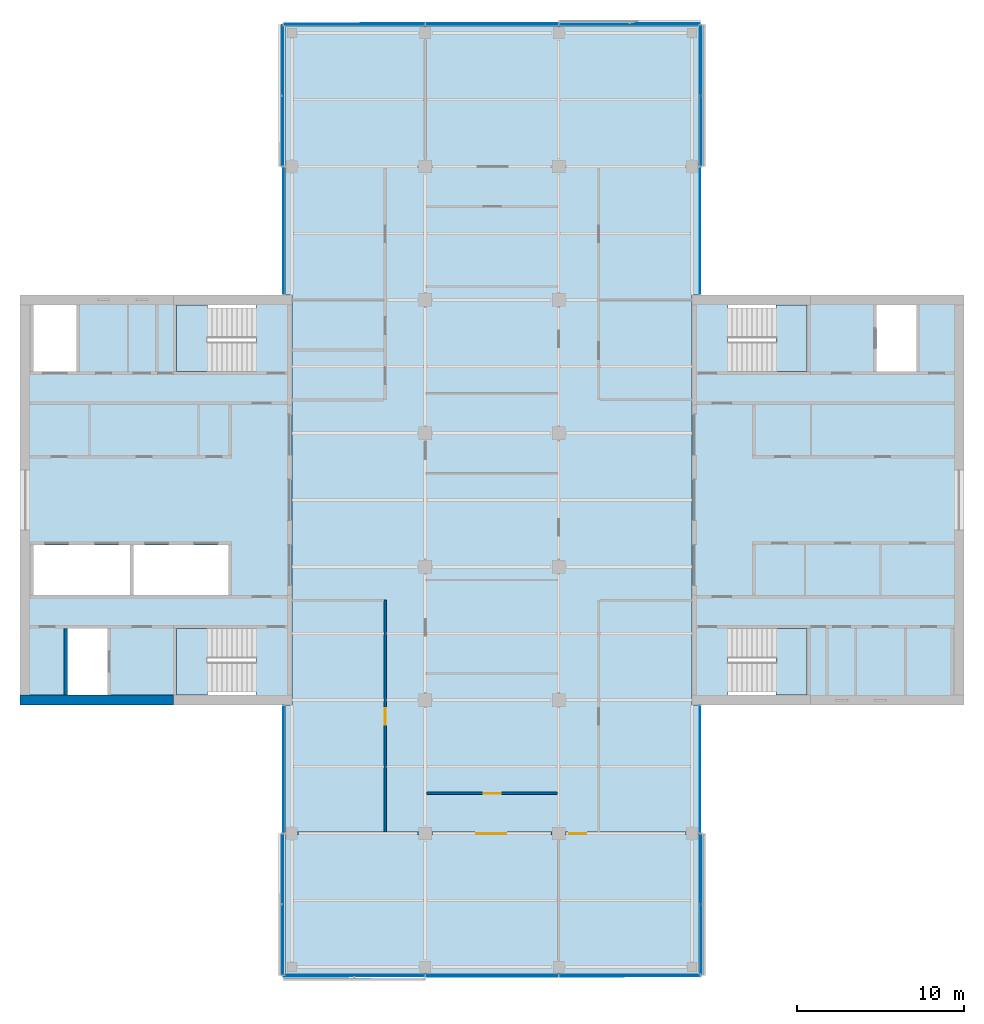
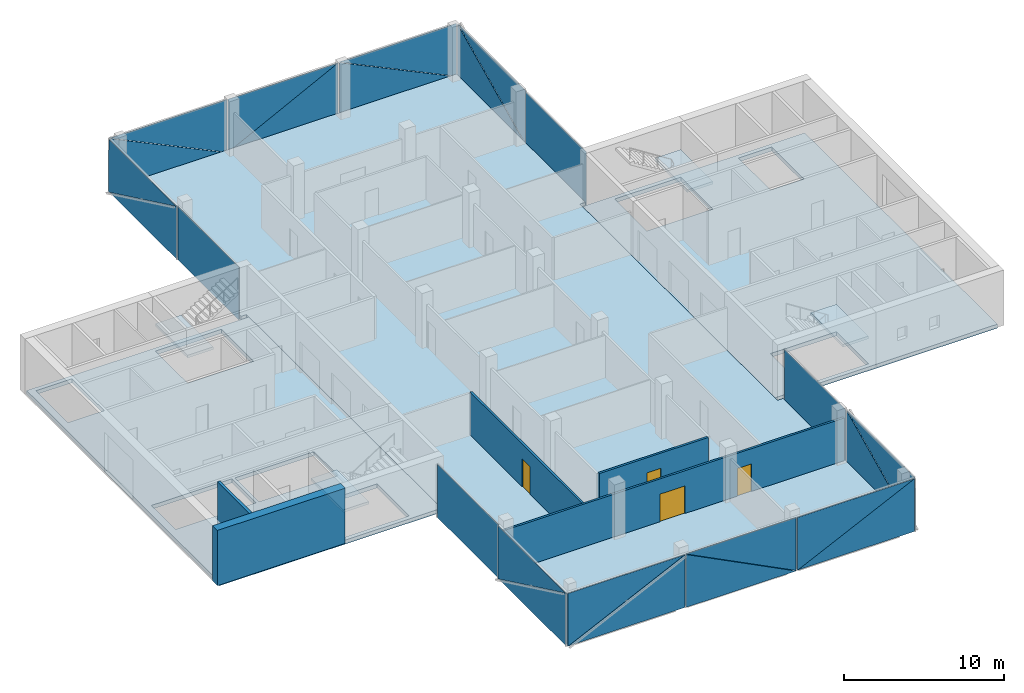
# One storey, part 8 of 15: 24 plates, 7 slabs, 5 walls, 4 doors, 4 openings, 14 elements without a shape of their own.
"""IFC4 building model written with IfcOpenShell, lengths in metres."""

from ifc_helpers import new_model, si_unit, direction, frame, frame_2d, origin, place, context, subcontext, project, spatial, polyline, rectangle, outline, extrude, material, layer, layer_set, constituent, constituent_set, type_object, element, fill, aggregate, save


model = new_model("IFC4")

# Units and contexts
model_context = context("Model", 3, precision=1e-05, world=origin(), true_north=direction((0.0, 1.0)))
body_context = subcontext(model_context, "Body", "Model", "MODEL_VIEW")
ifc_project = project(units=[si_unit("LENGTHUNIT", "METRE"), si_unit("AREAUNIT", "SQUARE_METRE"), si_unit("VOLUMEUNIT", "CUBIC_METRE"), si_unit("PLANEANGLEUNIT", "RADIAN"), si_unit("MASSUNIT", "GRAM", prefix="KILO")], contexts=[model_context])

# Site, building, storey
site_placement = place(None, origin())
site = spatial("IfcSite", under=ifc_project, at=site_placement, CompositionType="ELEMENT")
building_placement = place(site_placement, origin())
building = spatial("IfcBuilding", under=site, at=building_placement, Name="Crosswind Convention Tower", CompositionType="ELEMENT")
storey_placement = place(building_placement, frame((0.0, 0.0, 233.5)))
storey = spatial("IfcBuildingStorey", under=building, at=storey_placement, Name="L50", CompositionType="ELEMENT", Elevation=233.5)

# Slabs
ifc_material_1 = material(Name="Concrete C40/50", Category="concrete")
ifc_layer_1 = layer(ifc_material_1, 0.300048828125)
ifc_layer_set_1 = layer_set([ifc_layer_1], Name="Concrete C40/50")
slab_type_1 = type_object("IfcSlabType", Name="Composite floor slab 300", PredefinedType="FLOOR", material=ifc_layer_set_1)
slab_1_placement = place(storey_placement, frame((0.0, 0.0, -0.300048828125)))
element("IfcSlab", 1, at=slab_1_placement, inside=storey, type_object=slab_type_1, Name="Floor slab L50", PredefinedType="FLOOR", context=body_context, shape_type="SweptSolid", body=[
    extrude(outline(polyline([(137.39990234375, 71.60009765625), (137.0, 71.60009765625), (113.0, 71.60009765625), (112.60009765625, 71.60009765625), (112.60009765625, 72.0), (112.60009765625, 87.699951171875), (113.0, 87.699951171875), (113.0, 112.300048828125), (112.60009765625, 112.300048828125), (112.60009765625, 128.0), (112.60009765625, 128.39990234375), (113.0, 128.39990234375), (137.0, 128.39990234375), (137.39990234375, 128.39990234375), (137.39990234375, 128.0), (137.39990234375, 112.300048828125), (137.0, 112.300048828125), (137.0, 87.699951171875), (137.39990234375, 87.699951171875), (137.39990234375, 72.0), (137.39990234375, 71.60009765625)])), origin(), (0.0, 0.0, 1.0), 0.300048828125),
])
ifc_layer_2 = layer(ifc_material_1, 0.300048828125)
ifc_layer_set_2 = layer_set([ifc_layer_2], Name="Concrete C40/50")
slab_type_2 = type_object("IfcSlabType", Name="Concrete core floor slab 300", PredefinedType="FLOOR", material=ifc_layer_set_2)
slab_2_placement = place(storey_placement, frame((0.0, 0.0, -0.300048828125)))
element("IfcSlab", 2, at=slab_2_placement, inside=storey, type_object=slab_type_2, Name="Core floor slab E L50", PredefinedType="FLOOR", context=body_context, shape_type="SweptSolid", body=[
    extrude(outline(polyline([(137.0, 88.0), (153.0, 88.0), (153.0, 112.0), (137.0, 112.0), (137.0, 88.0)]), holes=[polyline([(150.449951171875, 107.699951171875), (150.449951171875, 111.699951171875), (148.050048828125, 111.699951171875), (148.050048828125, 107.699951171875), (150.449951171875, 107.699951171875)]), polyline([(143.89990234375, 107.699951171875), (143.89990234375, 111.699951171875), (139.14990234375, 111.699951171875), (139.14990234375, 107.699951171875), (143.89990234375, 107.699951171875)]), polyline([(143.89990234375, 88.300048828125), (143.89990234375, 92.300048828125), (139.14990234375, 92.300048828125), (139.14990234375, 88.300048828125), (143.89990234375, 88.300048828125)])]), origin(), (0.0, 0.0, 1.0), 0.300048828125),
])
slab_3_placement = place(storey_placement, frame((0.0, 0.0, -0.300048828125)))
element("IfcSlab", 3, at=slab_3_placement, inside=storey, type_object=slab_type_2, Name="Core floor slab W L50", PredefinedType="FLOOR", context=body_context, shape_type="SweptSolid", body=[
    extrude(outline(polyline([(97.0, 88.0), (113.0, 88.0), (113.0, 112.0), (97.0, 112.0), (97.0, 88.0)]), holes=[polyline([(109.199951171875, 94.300048828125), (109.199951171875, 97.300048828125), (103.5, 97.300048828125), (103.5, 94.300048828125), (109.199951171875, 94.300048828125)]), polyline([(103.300048828125, 94.300048828125), (103.300048828125, 97.300048828125), (97.5, 97.300048828125), (97.5, 94.300048828125), (103.300048828125, 94.300048828125)]), polyline([(101.949951171875, 88.300048828125), (101.949951171875, 92.300048828125), (99.550048828125, 92.300048828125), (99.550048828125, 88.300048828125), (101.949951171875, 88.300048828125)]), polyline([(100.10009765625, 107.699951171875), (100.10009765625, 111.699951171875), (97.5, 111.699951171875), (97.5, 107.699951171875), (100.10009765625, 107.699951171875)]), polyline([(110.85009765625, 88.300048828125), (110.85009765625, 92.300048828125), (106.10009765625, 92.300048828125), (106.10009765625, 88.300048828125), (110.85009765625, 88.300048828125)]), polyline([(110.85009765625, 107.699951171875), (110.85009765625, 111.699951171875), (106.10009765625, 111.699951171875), (106.10009765625, 107.699951171875), (110.85009765625, 107.699951171875)])]), origin(), (0.0, 0.0, 1.0), 0.300048828125),
])

# Stair, slab
stair_type = type_object("IfcStairType", Name="Exit stair 1800 wide, 2 flights of 11 risers", PredefinedType="HALF_TURN_STAIR", material=ifc_material_1)
stair_1_placement = place(storey_placement, origin())
stair_1 = element("IfcStair", 4, at=stair_1_placement, inside=storey, type_object=stair_type, Name="Exit stair ST1 L50", ObjectType="ST5", PredefinedType="HALF_TURN_STAIR")
ifc_layer_3 = layer(ifc_material_1, 0.199951171875)
ifc_layer_set_3 = layer_set([ifc_layer_3], Name="Concrete C40/50")
slab_type_3 = type_object("IfcSlabType", Name="Stair landing 200", PredefinedType="LANDING", material=ifc_layer_set_3)
slab_4_placement = place(storey_placement, frame((0.0, 0.0, 1.89990234375)))
slab_4 = element("IfcSlab", 5, at=slab_4_placement, type_object=slab_type_3, Name="ST1 landing 1", PredefinedType="LANDING", context=body_context, shape_type="SweptSolid", body=[
    extrude(outline(polyline([(143.89990234375, 107.699951171875), (143.89990234375, 111.699951171875), (142.050048828125, 111.699951171875), (142.050048828125, 107.699951171875), (143.89990234375, 107.699951171875)])), origin(), (0.0, 0.0, 1.0), 0.2001953125),
])
aggregate(stair_1, [slab_4])

stair_2_placement = place(storey_placement, origin())
stair_2 = element("IfcStair", 6, at=stair_2_placement, inside=storey, type_object=stair_type, Name="Exit stair ST2 L50", ObjectType="ST5", PredefinedType="HALF_TURN_STAIR")
slab_5_placement = place(storey_placement, frame((0.0, 0.0, 1.89990234375)))
slab_5 = element("IfcSlab", 7, at=slab_5_placement, type_object=slab_type_3, Name="ST2 landing 1", PredefinedType="LANDING", context=body_context, shape_type="SweptSolid", body=[
    extrude(outline(polyline([(143.89990234375, 88.300048828125), (143.89990234375, 92.300048828125), (142.050048828125, 92.300048828125), (142.050048828125, 88.300048828125), (143.89990234375, 88.300048828125)])), origin(), (0.0, 0.0, 1.0), 0.2001953125),
])
aggregate(stair_2, [slab_5])

stair_3_placement = place(storey_placement, origin())
stair_3 = element("IfcStair", 8, at=stair_3_placement, inside=storey, type_object=stair_type, Name="Exit stair ST3 L50", ObjectType="ST5", PredefinedType="HALF_TURN_STAIR")
slab_6_placement = place(storey_placement, frame((0.0, 0.0, 1.89990234375)))
slab_6 = element("IfcSlab", 9, at=slab_6_placement, type_object=slab_type_3, Name="ST3 landing 1", PredefinedType="LANDING", context=body_context, shape_type="SweptSolid", body=[
    extrude(outline(polyline([(107.949951171875, 88.300048828125), (107.949951171875, 92.300048828125), (106.10009765625, 92.300048828125), (106.10009765625, 88.300048828125), (107.949951171875, 88.300048828125)])), origin(), (0.0, 0.0, 1.0), 0.2001953125),
])
aggregate(stair_3, [slab_6])

stair_4_placement = place(storey_placement, origin())
stair_4 = element("IfcStair", 10, at=stair_4_placement, inside=storey, type_object=stair_type, Name="Exit stair ST4 L50", ObjectType="ST5", PredefinedType="HALF_TURN_STAIR")
slab_7_placement = place(storey_placement, frame((0.0, 0.0, 1.89990234375)))
slab_7 = element("IfcSlab", 11, at=slab_7_placement, type_object=slab_type_3, Name="ST4 landing 1", PredefinedType="LANDING", context=body_context, shape_type="SweptSolid", body=[
    extrude(outline(polyline([(107.949951171875, 107.699951171875), (107.949951171875, 111.699951171875), (106.10009765625, 111.699951171875), (106.10009765625, 107.699951171875), (107.949951171875, 107.699951171875)])), origin(), (0.0, 0.0, 1.0), 0.2001953125),
])
aggregate(stair_4, [slab_7])

# Curtain wall, plate
ifc_material_2 = material(Name="Aluminium unitised curtain wall", Category="aluminium")
curtain_wall_type_1 = type_object("IfcCurtainWallType", Name="CORE END SLOT WALL 160", PredefinedType="USERDEFINED", material=ifc_material_2)
curtain_wall_1_placement = place(storey_placement, origin())
curtain_wall_1 = element("IfcCurtainWall", 12, at=curtain_wall_1_placement, inside=storey, type_object=curtain_wall_type_1, Name="CW6 L50 N-E.1-1 slot", ObjectType="UNITISED", PredefinedType="USERDEFINED")
ifc_material_3 = material(Name="Laminated insulating glass unit", Category="glass")
ifc_layer_4 = layer(ifc_material_3, 0.02587890625)
ifc_layer_set_4 = layer_set([ifc_layer_4], Name="TRIANGULAR GLASS PANEL 26")
plate_type_1 = type_object("IfcPlateType", Name="TRIANGULAR GLASS PANEL 26", PredefinedType="CURTAIN_PANEL", material=ifc_layer_set_4)
plate_1_placement = place(storey_placement, frame((137.5068359375, 112.35009765625, -0.300048828125), z_axis=(0.999999910972, 0.0, 0.000421966326), x_axis=(0.0, 1.0, 0.0)))
plate_1 = element("IfcPlate", 13, at=plate_1_placement, type_object=plate_type_1, Name="CW6 panel 1.1", PredefinedType="CURTAIN_PANEL", context=body_context, shape_type="SweptSolid", body=[
    extrude(outline(polyline([(0.0, 0.0), (7.599853515625, 0.0), (7.599853515625, 4.050049188691945), (0.0, 4.050049188691945), (0.0, 0.0)])), origin(), (0.0, 0.0, -1.0), 0.02587890625),
])
aggregate(curtain_wall_1, [plate_1])

curtain_wall_2_placement = place(storey_placement, origin())
curtain_wall_2 = element("IfcCurtainWall", 14, at=curtain_wall_2_placement, inside=storey, type_object=curtain_wall_type_1, Name="CW6 L50 N-W.1-2 slot", ObjectType="UNITISED", PredefinedType="USERDEFINED")
plate_2_placement = place(storey_placement, frame((112.4931640625, 119.949951171875, -0.300048828125), z_axis=(-0.999999910972, 0.0, 0.000421966326), x_axis=(0.0, -1.0, 0.0)))
plate_2 = element("IfcPlate", 15, at=plate_2_placement, type_object=plate_type_1, Name="CW6 panel 1.1", PredefinedType="CURTAIN_PANEL", context=body_context, shape_type="SweptSolid", body=[
    extrude(outline(polyline([(0.0, 0.0), (7.599853515625, 0.0), (7.599853515625, 4.050049188691945), (0.0, 4.050049188691945), (0.0, 0.0)])), origin(), (0.0, 0.0, -1.0), 0.02587890625),
])
aggregate(curtain_wall_2, [plate_2])

curtain_wall_3_placement = place(storey_placement, origin())
curtain_wall_3 = element("IfcCurtainWall", 16, at=curtain_wall_3_placement, inside=storey, type_object=curtain_wall_type_1, Name="CW6 L50 S-W.1-1 slot", ObjectType="UNITISED", PredefinedType="USERDEFINED")
plate_3_placement = place(storey_placement, frame((112.4931640625, 87.64990234375, -0.300048828125), z_axis=(-0.999999910972, 0.0, 0.000421966326), x_axis=(0.0, -1.0, 0.0)))
plate_3 = element("IfcPlate", 17, at=plate_3_placement, type_object=plate_type_1, Name="CW6 panel 1.1", PredefinedType="CURTAIN_PANEL", context=body_context, shape_type="SweptSolid", body=[
    extrude(outline(polyline([(0.0, 0.0), (7.599853515625, 0.0), (7.599853515625, 4.050049188691945), (0.0, 4.050049188691945), (0.0, 0.0)])), origin(), (0.0, 0.0, -1.0), 0.02587890625),
])
aggregate(curtain_wall_3, [plate_3])

curtain_wall_4_placement = place(storey_placement, origin())
curtain_wall_4 = element("IfcCurtainWall", 18, at=curtain_wall_4_placement, inside=storey, type_object=curtain_wall_type_1, Name="CW6 L50 S-E.1-2 slot", ObjectType="UNITISED", PredefinedType="USERDEFINED")
plate_4_placement = place(storey_placement, frame((137.5068359375, 80.050048828125, -0.300048828125), z_axis=(0.999999910972, 0.0, 0.000421966326), x_axis=(0.0, 1.0, 0.0)))
plate_4 = element("IfcPlate", 19, at=plate_4_placement, type_object=plate_type_1, Name="CW6 panel 1.1", PredefinedType="CURTAIN_PANEL", context=body_context, shape_type="SweptSolid", body=[
    extrude(outline(polyline([(0.0, 0.0), (7.599853515625, 0.0), (7.599853515625, 4.050049188691945), (0.0, 4.050049188691945), (0.0, 0.0)])), origin(), (0.0, 0.0, -1.0), 0.02587890625),
])
aggregate(curtain_wall_4, [plate_4])

# Curtain wall, plates
curtain_wall_type_2 = type_object("IfcCurtainWallType", Name="OFFICE UNITISED WALL 220", PredefinedType="USERDEFINED", material=ifc_material_2)
curtain_wall_5_placement = place(storey_placement, origin())
curtain_wall_5 = element("IfcCurtainWall", 20, at=curtain_wall_5_placement, inside=storey, type_object=curtain_wall_type_2, Name="CW3 L50 N-E 1", ObjectType="UNITISED", PredefinedType="USERDEFINED")
ifc_layer_5 = layer(ifc_material_3, 0.031982421875)
ifc_layer_set_5 = layer_set([ifc_layer_5], Name="TRIANGULAR GLASS PANEL 32")
plate_type_2 = type_object("IfcPlateType", Name="TRIANGULAR GLASS PANEL 32", PredefinedType="CURTAIN_PANEL", material=ifc_layer_set_5)
plate_5_placement = place(storey_placement, frame((137.542724609375, 128.47509765625, -0.300048828125), z_axis=(0.999999933579, 0.0, 0.000364475738), x_axis=(-0.000364475738, 0.0, 0.999999933579)))
plate_5 = element("IfcPlate", 21, at=plate_5_placement, type_object=plate_type_2, Name="CW3 panel 1.1", PredefinedType="CURTAIN_PANEL", context=body_context, shape_type="SweptSolid", body=[
    extrude(outline(polyline([(0.0, 0.0), (4.019043235700012, 0.0), (0.0, 8.4169921875), (0.0, 0.0)])), origin(), (0.0, 0.0, -1.0), 0.031982421875),
])
plate_6_placement = place(storey_placement, frame((137.5751953125, 120.034912109375, 3.72998046875), z_axis=(0.999999909582, 0.0, 0.000425247516), x_axis=(0.000425247516, 0.0, -0.999999909582)))
plate_6 = element("IfcPlate", 22, at=plate_6_placement, type_object=plate_type_2, Name="CW3 panel 1.2", PredefinedType="CURTAIN_PANEL", context=body_context, shape_type="SweptSolid", body=[
    extrude(outline(polyline([(0.0, 0.0), (4.018799191495697, 0.0), (0.0, 8.4169921875), (0.0, 0.0)])), origin(), (0.0, 0.0, -1.0), 0.031982421875),
])
aggregate(curtain_wall_5, [plate_5, plate_6])

curtain_wall_6_placement = place(storey_placement, origin())
curtain_wall_6 = element("IfcCurtainWall", 23, at=curtain_wall_6_placement, inside=storey, type_object=curtain_wall_type_2, Name="CW3 L50 N-TIP 1", ObjectType="UNITISED", PredefinedType="USERDEFINED")
plate_7_placement = place(storey_placement, frame((129.034912109375, 128.542724609375, -0.300048828125), z_axis=(0.0, 0.999999933579, 0.000364475738), x_axis=(0.0, -0.000364475738, 0.999999933579)))
plate_7 = element("IfcPlate", 24, at=plate_7_placement, type_object=plate_type_2, Name="CW3 panel 1.1", PredefinedType="CURTAIN_PANEL", context=body_context, shape_type="SweptSolid", body=[
    extrude(outline(polyline([(0.0, 0.0), (4.019043235700012, 0.0), (0.0, 8.4169921875), (0.0, 0.0)])), origin(), (0.0, 0.0, -1.0), 0.031982421875),
])
plate_8_placement = place(storey_placement, frame((137.47509765625, 128.5751953125, 3.72998046875), z_axis=(0.0, 0.999999909582, 0.000425247516), x_axis=(0.0, 0.000425247516, -0.999999909582)))
plate_8 = element("IfcPlate", 25, at=plate_8_placement, type_object=plate_type_2, Name="CW3 panel 1.2", PredefinedType="CURTAIN_PANEL", context=body_context, shape_type="SweptSolid", body=[
    extrude(outline(polyline([(0.0, 0.0), (4.018799191495697, 0.0), (0.0, 8.4169921875), (0.0, 0.0)])), origin(), (0.0, 0.0, -1.0), 0.031982421875),
])
plate_9_placement = place(storey_placement, frame((121.034912109375, 128.541259765625, 3.72998046875), z_axis=(0.0, 0.999999933571, 0.00036449788), x_axis=(1.0, 0.0, 0.0)))
plate_9 = element("IfcPlate", 26, at=plate_9_placement, type_object=plate_type_2, Name="CW3 panel 2.1", PredefinedType="CURTAIN_PANEL", context=body_context, shape_type="SweptSolid", body=[
    extrude(outline(polyline([(0.0, 0.0), (7.907958984375, 0.0), (0.0, 4.01879909509123), (0.0, 0.0)])), origin(), (0.0, 0.0, -1.0), 0.031982421875),
])
plate_10_placement = place(storey_placement, frame((128.965087890625, 128.576904296875, -0.300048828125), z_axis=(0.0, 0.999999909582, 0.000425247516), x_axis=(-1.0, 0.0, 0.0)))
plate_10 = element("IfcPlate", 27, at=plate_10_placement, type_object=plate_type_2, Name="CW3 panel 2.2", PredefinedType="CURTAIN_PANEL", context=body_context, shape_type="SweptSolid", body=[
    extrude(outline(polyline([(0.0, 0.0), (7.907958984375, 0.0), (0.0, 4.018799191495697), (0.0, 0.0)])), origin(), (0.0, 0.0, -1.0), 0.031982421875),
])
plate_11_placement = place(storey_placement, frame((112.52490234375, 128.542724609375, -0.300048828125), z_axis=(0.0, 0.999999933579, 0.000364475738), x_axis=(0.0, -0.000364475738, 0.999999933579)))
plate_11 = element("IfcPlate", 28, at=plate_11_placement, type_object=plate_type_2, Name="CW3 panel 3.1", PredefinedType="CURTAIN_PANEL", context=body_context, shape_type="SweptSolid", body=[
    extrude(outline(polyline([(0.0, 0.0), (4.019043235700012, 0.0), (0.0, 8.4169921875), (0.0, 0.0)])), origin(), (0.0, 0.0, -1.0), 0.031982421875),
])
plate_12_placement = place(storey_placement, frame((120.965087890625, 128.5751953125, 3.72998046875), z_axis=(0.0, 0.999999909582, 0.000425247516), x_axis=(0.0, 0.000425247516, -0.999999909582)))
plate_12 = element("IfcPlate", 29, at=plate_12_placement, type_object=plate_type_2, Name="CW3 panel 3.2", PredefinedType="CURTAIN_PANEL", context=body_context, shape_type="SweptSolid", body=[
    extrude(outline(polyline([(0.0, 0.0), (4.018799191495697, 0.0), (0.0, 8.4169921875), (0.0, 0.0)])), origin(), (0.0, 0.0, -1.0), 0.031982421875),
])
aggregate(curtain_wall_6, [plate_7, plate_8, plate_9, plate_10, plate_11, plate_12])

curtain_wall_7_placement = place(storey_placement, origin())
curtain_wall_7 = element("IfcCurtainWall", 30, at=curtain_wall_7_placement, inside=storey, type_object=curtain_wall_type_2, Name="CW3 L50 N-W 1", ObjectType="UNITISED", PredefinedType="USERDEFINED")
plate_13_placement = place(storey_placement, frame((112.457275390625, 120.034912109375, -0.300048828125), z_axis=(-0.999999933579, 0.0, 0.000364475738), x_axis=(0.000364475738, 0.0, 0.999999933579)))
plate_13 = element("IfcPlate", 31, at=plate_13_placement, type_object=plate_type_2, Name="CW3 panel 1.1", PredefinedType="CURTAIN_PANEL", context=body_context, shape_type="SweptSolid", body=[
    extrude(outline(polyline([(0.0, 0.0), (4.019043235700012, 0.0), (0.0, 8.4169921875), (0.0, 0.0)])), origin(), (0.0, 0.0, -1.0), 0.031982421875),
])
plate_14_placement = place(storey_placement, frame((112.4248046875, 128.47509765625, 3.72998046875), z_axis=(-0.999999909582, 0.0, 0.000425247516), x_axis=(-0.000425247516, 0.0, -0.999999909582)))
plate_14 = element("IfcPlate", 32, at=plate_14_placement, type_object=plate_type_2, Name="CW3 panel 1.2", PredefinedType="CURTAIN_PANEL", context=body_context, shape_type="SweptSolid", body=[
    extrude(outline(polyline([(0.0, 0.0), (4.018799191495697, 0.0), (0.0, 8.4169921875), (0.0, 0.0)])), origin(), (0.0, 0.0, -1.0), 0.031982421875),
])
aggregate(curtain_wall_7, [plate_13, plate_14])

curtain_wall_8_placement = place(storey_placement, origin())
curtain_wall_8 = element("IfcCurtainWall", 33, at=curtain_wall_8_placement, inside=storey, type_object=curtain_wall_type_2, Name="CW3 L50 S-W 1", ObjectType="UNITISED", PredefinedType="USERDEFINED")
plate_15_placement = place(storey_placement, frame((112.457275390625, 71.52490234375, -0.300048828125), z_axis=(-0.999999933579, 0.0, 0.000364475738), x_axis=(0.000364475738, 0.0, 0.999999933579)))
plate_15 = element("IfcPlate", 34, at=plate_15_placement, type_object=plate_type_2, Name="CW3 panel 1.1", PredefinedType="CURTAIN_PANEL", context=body_context, shape_type="SweptSolid", body=[
    extrude(outline(polyline([(0.0, 0.0), (4.019043235700012, 0.0), (0.0, 8.4169921875), (0.0, 0.0)])), origin(), (0.0, 0.0, -1.0), 0.031982421875),
])
plate_16_placement = place(storey_placement, frame((112.4248046875, 79.965087890625, 3.72998046875), z_axis=(-0.999999909582, 0.0, 0.000425247516), x_axis=(-0.000425247516, 0.0, -0.999999909582)))
plate_16 = element("IfcPlate", 35, at=plate_16_placement, type_object=plate_type_2, Name="CW3 panel 1.2", PredefinedType="CURTAIN_PANEL", context=body_context, shape_type="SweptSolid", body=[
    extrude(outline(polyline([(0.0, 0.0), (4.018799191495697, 0.0), (0.0, 8.4169921875), (0.0, 0.0)])), origin(), (0.0, 0.0, -1.0), 0.031982421875),
])
aggregate(curtain_wall_8, [plate_15, plate_16])

curtain_wall_9_placement = place(storey_placement, origin())
curtain_wall_9 = element("IfcCurtainWall", 36, at=curtain_wall_9_placement, inside=storey, type_object=curtain_wall_type_2, Name="CW3 L50 S-TIP 1", ObjectType="UNITISED", PredefinedType="USERDEFINED")
plate_17_placement = place(storey_placement, frame((120.965087890625, 71.457275390625, -0.300048828125), z_axis=(0.0, -0.999999933579, 0.000364475738), x_axis=(0.0, 0.000364475738, 0.999999933579)))
plate_17 = element("IfcPlate", 37, at=plate_17_placement, type_object=plate_type_2, Name="CW3 panel 1.1", PredefinedType="CURTAIN_PANEL", context=body_context, shape_type="SweptSolid", body=[
    extrude(outline(polyline([(0.0, 0.0), (4.019043235700012, 0.0), (0.0, 8.4169921875), (0.0, 0.0)])), origin(), (0.0, 0.0, -1.0), 0.031982421875),
])
plate_18_placement = place(storey_placement, frame((112.52490234375, 71.4248046875, 3.72998046875), z_axis=(0.0, -0.999999909582, 0.000425247516), x_axis=(0.0, -0.000425247516, -0.999999909582)))
plate_18 = element("IfcPlate", 38, at=plate_18_placement, type_object=plate_type_2, Name="CW3 panel 1.2", PredefinedType="CURTAIN_PANEL", context=body_context, shape_type="SweptSolid", body=[
    extrude(outline(polyline([(0.0, 0.0), (4.018799191495697, 0.0), (0.0, 8.4169921875), (0.0, 0.0)])), origin(), (0.0, 0.0, -1.0), 0.031982421875),
])
plate_19_placement = place(storey_placement, frame((128.965087890625, 71.458740234375, 3.72998046875), z_axis=(0.0, -0.999999933571, 0.00036449788), x_axis=(-1.0, 0.0, 0.0)))
plate_19 = element("IfcPlate", 39, at=plate_19_placement, type_object=plate_type_2, Name="CW3 panel 2.1", PredefinedType="CURTAIN_PANEL", context=body_context, shape_type="SweptSolid", body=[
    extrude(outline(polyline([(0.0, 0.0), (7.907958984375, 0.0), (0.0, 4.01879909509123), (0.0, 0.0)])), origin(), (0.0, 0.0, -1.0), 0.031982421875),
])
plate_20_placement = place(storey_placement, frame((121.034912109375, 71.423095703125, -0.300048828125), z_axis=(0.0, -0.999999909582, 0.000425247516), x_axis=(1.0, 0.0, 0.0)))
plate_20 = element("IfcPlate", 40, at=plate_20_placement, type_object=plate_type_2, Name="CW3 panel 2.2", PredefinedType="CURTAIN_PANEL", context=body_context, shape_type="SweptSolid", body=[
    extrude(outline(polyline([(0.0, 0.0), (7.907958984375, 0.0), (0.0, 4.018799191495697), (0.0, 0.0)])), origin(), (0.0, 0.0, -1.0), 0.031982421875),
])
plate_21_placement = place(storey_placement, frame((137.47509765625, 71.457275390625, -0.300048828125), z_axis=(0.0, -0.999999933579, 0.000364475738), x_axis=(0.0, 0.000364475738, 0.999999933579)))
plate_21 = element("IfcPlate", 41, at=plate_21_placement, type_object=plate_type_2, Name="CW3 panel 3.1", PredefinedType="CURTAIN_PANEL", context=body_context, shape_type="SweptSolid", body=[
    extrude(outline(polyline([(0.0, 0.0), (4.019043235700012, 0.0), (0.0, 8.4169921875), (0.0, 0.0)])), origin(), (0.0, 0.0, -1.0), 0.031982421875),
])
plate_22_placement = place(storey_placement, frame((129.034912109375, 71.4248046875, 3.72998046875), z_axis=(0.0, -0.999999909582, 0.000425247516), x_axis=(0.0, -0.000425247516, -0.999999909582)))
plate_22 = element("IfcPlate", 42, at=plate_22_placement, type_object=plate_type_2, Name="CW3 panel 3.2", PredefinedType="CURTAIN_PANEL", context=body_context, shape_type="SweptSolid", body=[
    extrude(outline(polyline([(0.0, 0.0), (4.018799191495697, 0.0), (0.0, 8.4169921875), (0.0, 0.0)])), origin(), (0.0, 0.0, -1.0), 0.031982421875),
])
aggregate(curtain_wall_9, [plate_17, plate_18, plate_19, plate_20, plate_21, plate_22])

curtain_wall_10_placement = place(storey_placement, origin())
curtain_wall_10 = element("IfcCurtainWall", 43, at=curtain_wall_10_placement, inside=storey, type_object=curtain_wall_type_2, Name="CW3 L50 S-E 1", ObjectType="UNITISED", PredefinedType="USERDEFINED")
plate_23_placement = place(storey_placement, frame((137.542724609375, 79.965087890625, -0.300048828125), z_axis=(0.999999933579, 0.0, 0.000364475738), x_axis=(-0.000364475738, 0.0, 0.999999933579)))
plate_23 = element("IfcPlate", 44, at=plate_23_placement, type_object=plate_type_2, Name="CW3 panel 1.1", PredefinedType="CURTAIN_PANEL", context=body_context, shape_type="SweptSolid", body=[
    extrude(outline(polyline([(0.0, 0.0), (4.019043235700012, 0.0), (0.0, 8.4169921875), (0.0, 0.0)])), origin(), (0.0, 0.0, -1.0), 0.031982421875),
])
plate_24_placement = place(storey_placement, frame((137.5751953125, 71.52490234375, 3.72998046875), z_axis=(0.999999909582, 0.0, 0.000425247516), x_axis=(0.000425247516, 0.0, -0.999999909582)))
plate_24 = element("IfcPlate", 45, at=plate_24_placement, type_object=plate_type_2, Name="CW3 panel 1.2", PredefinedType="CURTAIN_PANEL", context=body_context, shape_type="SweptSolid", body=[
    extrude(outline(polyline([(0.0, 0.0), (4.018799191495697, 0.0), (0.0, 8.4169921875), (0.0, 0.0)])), origin(), (0.0, 0.0, -1.0), 0.031982421875),
])
aggregate(curtain_wall_10, [plate_23, plate_24])

# Wall
ifc_material_4 = material(Name="Concrete C50/60", Category="concrete")
ifc_layer_6 = layer(ifc_material_4, 0.199951171875)
ifc_layer_set_6 = layer_set([ifc_layer_6], Name="Concrete C50/60")
wall_type_1 = type_object("IfcWallType", Name="Concrete shaft and stair wall 200", PredefinedType="SHEAR", material=ifc_layer_set_6)
wall_1_placement = place(storey_placement, frame((99.449951171875, 92.300048828125, 0.0), z_axis=(0.0, 0.0, 1.0), x_axis=(0.0, -1.0, 0.0)))
element("IfcWall", 46, at=wall_1_placement, inside=storey, type_object=wall_type_1, Name="Wall PFSE W L50", PredefinedType="SHEAR", context=body_context, shape_type="SweptSolid", body=[
    extrude(rectangle(XDim=4.0, YDim=0.199951171875, at=frame_2d((2.0, 0.0))), origin(), (0.0, 0.0, 1.0), 4.199951171875),
])

# Wall, opening, door
ifc_material_5 = material(Name="Fire-board partition with mineral wool", Category="gypsum")
ifc_layer_7 = layer(ifc_material_5, 0.14990234375)
ifc_layer_set_7 = layer_set([ifc_layer_7], Name="TENANCY WALL 150 TWO-HOUR BOARD")
wall_type_2 = type_object("IfcWallType", Name="TENANCY WALL 150 TWO-HOUR BOARD", PredefinedType="PARTITIONING", material=ifc_layer_set_7)
wall_2_placement = place(storey_placement, frame((118.60009765625, 80.074951171875, 0.0), z_axis=(0.0, 0.0, 1.0), x_axis=(0.0, 1.0, 0.0)))
wall_2 = element("IfcWall", 47, at=wall_2_placement, inside=storey, type_object=wall_type_2, Name="Tenancy wall WT41", PredefinedType="PARTITIONING", context=body_context, shape_type="SweptSolid", body=[
    extrude(rectangle(XDim=13.925048828125, YDim=0.14990234375, at=frame_2d((6.96240234375, 0.0))), origin(), (0.0, 0.0, 1.0), 3.25537109375),
])
opening_1_placement = place(wall_2_placement, frame((6.449951171875, 0.0, 0.0)))
opening_1 = element("IfcOpeningElement", 48, at=opening_1_placement, cuts=wall_2, Name="Opening L50-56", PredefinedType="OPENING", context=body_context, shape_type="SweptSolid", body=[
    extrude(rectangle(XDim=1.0, YDim=2.10009765625, at=frame_2d((0.5, 1.050048828125))), frame((0.0, 0.0849609375, 0.0), z_axis=(0.0, -1.0, 0.0), x_axis=(1.0, 0.0, 0.0)), (0.0, 0.0, 1.0), 0.169921875),
])
ifc_material_6 = material(Name="Timber fire door", Category="wood")
door_type_1 = type_object("IfcDoorType", Name="TENANCY ENTRANCE DOOR 1000X2100 FD30S", OperationType="NOTDEFINED", PredefinedType="DOOR", material=ifc_material_6)
door_1_placement = place(opening_1_placement, origin())
door_1 = element("IfcDoor", 49, at=door_1_placement, inside=storey, type_object=door_type_1, Name="Door L50-56", ObjectType="D41", OperationType="SINGLE_SWING_RIGHT", OverallHeight=2.10009765625, OverallWidth=1.0, PredefinedType="DOOR", context=body_context, shape_type="SweptSolid", body=[
    extrude(rectangle(XDim=1.0, YDim=2.10009765625, at=frame_2d((0.5, 1.050048828125))), frame((0.0, 0.02490234375, 0.0), z_axis=(0.0, -1.0, 0.0), x_axis=(1.0, 0.0, 0.0)), (0.0, 0.0, 1.0), 0.050048828125),
])
fill(opening_1, door_1)

# Wall, openings, doors
wall_3_placement = place(storey_placement, frame((112.679931640625, 80.0, 0.0), z_axis=(0.0, 0.0, 1.0), x_axis=(1.0, 0.0, 0.0)))
wall_3 = element("IfcWall", 50, at=wall_3_placement, inside=storey, type_object=wall_type_2, Name="Tenancy wall WT41", PredefinedType="PARTITIONING", context=body_context, shape_type="SweptSolid", body=[
    extrude(rectangle(XDim=24.64013671875, YDim=0.14990234375, at=frame_2d((12.320068359375, 0.0))), origin(), (0.0, 0.0, 1.0), 3.25537109375),
])
opening_2_placement = place(wall_3_placement, frame((11.3701171875, 0.0, 0.0)))
opening_2 = element("IfcOpeningElement", 51, at=opening_2_placement, cuts=wall_3, Name="Opening L50-58", PredefinedType="OPENING", context=body_context, shape_type="SweptSolid", body=[
    extrude(rectangle(XDim=1.800048828125, YDim=2.10009765625, at=frame_2d((0.89990234375, 1.050048828125))), frame((0.0, 0.0849609375, 0.0), z_axis=(0.0, -1.0, 0.0), x_axis=(1.0, 0.0, 0.0)), (0.0, 0.0, 1.0), 0.169921875),
])
opening_3_placement = place(wall_3_placement, frame((16.969970703125, 0.0, 0.0)))
opening_3 = element("IfcOpeningElement", 52, at=opening_3_placement, cuts=wall_3, Name="Opening L50-59", PredefinedType="OPENING", context=body_context, shape_type="SweptSolid", body=[
    extrude(rectangle(XDim=1.0, YDim=2.10009765625, at=frame_2d((0.5, 1.050048828125))), frame((0.0, 0.0849609375, 0.0), z_axis=(0.0, -1.0, 0.0), x_axis=(1.0, 0.0, 0.0)), (0.0, 0.0, 1.0), 0.169921875),
])
door_2_placement = place(opening_3_placement, frame((1.0, 0.0, 0.0), z_axis=(0.0, 0.0, 1.0), x_axis=(-1.0, 0.0, 0.0)))
door_2 = element("IfcDoor", 53, at=door_2_placement, inside=storey, type_object=door_type_1, Name="Door L50-59", ObjectType="D41", OperationType="SINGLE_SWING_RIGHT", OverallHeight=2.10009765625, OverallWidth=1.0, PredefinedType="DOOR", context=body_context, shape_type="SweptSolid", body=[
    extrude(rectangle(XDim=1.0, YDim=2.10009765625, at=frame_2d((0.5, 1.050048828125))), frame((0.0, 0.02490234375, 0.0), z_axis=(0.0, -1.0, 0.0), x_axis=(1.0, 0.0, 0.0)), (0.0, 0.0, 1.0), 0.050048828125),
])
fill(opening_3, door_2)
door_type_2 = type_object("IfcDoorType", Name="TENANCY ENTRANCE DOUBLE DOOR 1800X2100 FD30S", OperationType="DOUBLE_DOOR_SINGLE_SWING", PredefinedType="DOOR", material=ifc_material_6)
door_3_placement = place(opening_2_placement, frame((1.800048828125, 0.0, 0.0), z_axis=(0.0, 0.0, 1.0), x_axis=(-1.0, 0.0, 0.0)))
door_3 = element("IfcDoor", 54, at=door_3_placement, inside=storey, type_object=door_type_2, Name="Door L50-58", ObjectType="D42", OperationType="DOUBLE_DOOR_SINGLE_SWING", OverallHeight=2.10009765625, OverallWidth=1.800048828125, PredefinedType="DOOR", context=body_context, shape_type="SweptSolid", body=[
    extrude(rectangle(XDim=1.800048828125, YDim=2.10009765625, at=frame_2d((0.89990234375, 1.050048828125))), frame((0.0, 0.02490234375, 0.0), z_axis=(0.0, -1.0, 0.0), x_axis=(1.0, 0.0, 0.0)), (0.0, 0.0, 1.0), 0.050048828125),
])
fill(opening_2, door_3)

# Wall, opening, door
wall_4_placement = place(storey_placement, frame((121.074951171875, 82.39990234375, 0.0), z_axis=(0.0, 0.0, 1.0), x_axis=(1.0, 0.0, 0.0)))
wall_4 = element("IfcWall", 55, at=wall_4_placement, inside=storey, type_object=wall_type_2, Name="Tenancy wall WT41", PredefinedType="PARTITIONING", context=body_context, shape_type="SweptSolid", body=[
    extrude(rectangle(XDim=7.85009765625, YDim=0.14990234375, at=frame_2d((3.925048828125, 0.0))), origin(), (0.0, 0.0, 1.0), 3.25537109375),
])
opening_4_placement = place(wall_4_placement, frame((3.449951171875, 0.0, 0.0)))
opening_4 = element("IfcOpeningElement", 56, at=opening_4_placement, cuts=wall_4, Name="Opening L50-60", PredefinedType="OPENING", context=body_context, shape_type="SweptSolid", body=[
    extrude(rectangle(XDim=1.0, YDim=2.10009765625, at=frame_2d((0.5, 1.050048828125))), frame((0.0, 0.0849609375, 0.0), z_axis=(0.0, -1.0, 0.0), x_axis=(1.0, 0.0, 0.0)), (0.0, 0.0, 1.0), 0.169921875),
])
door_4_placement = place(opening_4_placement, frame((1.0, 0.0, 0.0), z_axis=(0.0, 0.0, 1.0), x_axis=(-1.0, 0.0, 0.0)))
door_4 = element("IfcDoor", 57, at=door_4_placement, inside=storey, type_object=door_type_1, Name="Door L50-60", ObjectType="D41", OperationType="SINGLE_SWING_LEFT", OverallHeight=2.10009765625, OverallWidth=1.0, PredefinedType="DOOR", context=body_context, shape_type="SweptSolid", body=[
    extrude(rectangle(XDim=1.0, YDim=2.10009765625, at=frame_2d((0.5, 1.050048828125))), frame((0.0, 0.02490234375, 0.0), z_axis=(0.0, -1.0, 0.0), x_axis=(1.0, 0.0, 0.0)), (0.0, 0.0, 1.0), 0.050048828125),
])
fill(opening_4, door_4)

# Wall
ifc_material_7 = material(Name="Concrete C60/75", Category="concrete")
ifc_constituent_1 = constituent(ifc_material_7, Name="Structure")
ifc_material_8 = material(Name="Terracotta rainscreen", Category="ceramic")
ifc_constituent_2 = constituent(ifc_material_8, Name="Facing")
ifc_constituent_set = constituent_set(constituents=[ifc_constituent_1, ifc_constituent_2], Name="Concrete C60/75, Terracotta rainscreen")
wall_type_3 = type_object("IfcWallType", Name="Terracotta rainscreen on concrete core wall 600", PredefinedType="SHEAR", material=ifc_constituent_set)
wall_5_placement = place(storey_placement, frame((105.89990234375, 88.0, 0.0), z_axis=(0.0, 0.0, 1.0), x_axis=(-1.0, 0.0, 0.0)))
element("IfcWall", 58, at=wall_5_placement, inside=storey, type_object=wall_type_3, Name="Wall N2 W L50", PredefinedType="SHEAR", context=body_context, shape_type="SweptSolid", body=[
    extrude(rectangle(XDim=9.199951171875, YDim=0.60009765625, at=frame_2d((4.60009765625, 0.0))), origin(), (0.0, 0.0, 1.0), 4.199951171875),
])

save(model, "model.ifc")
